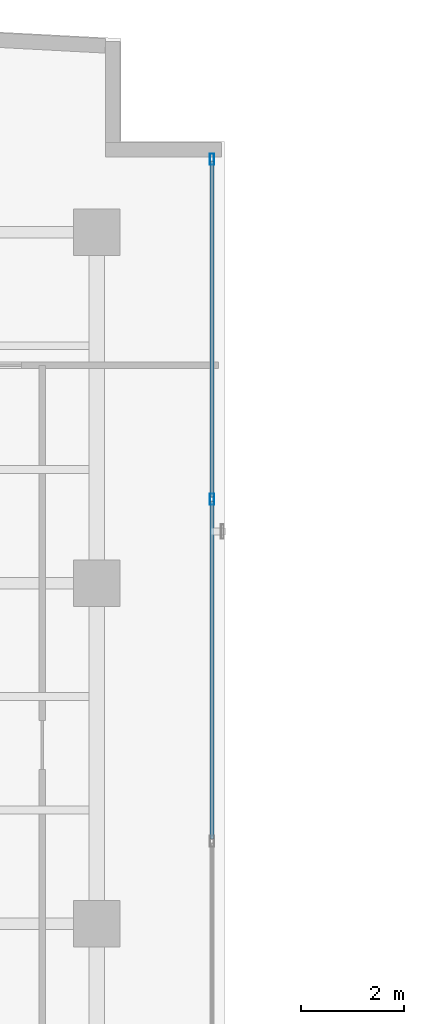
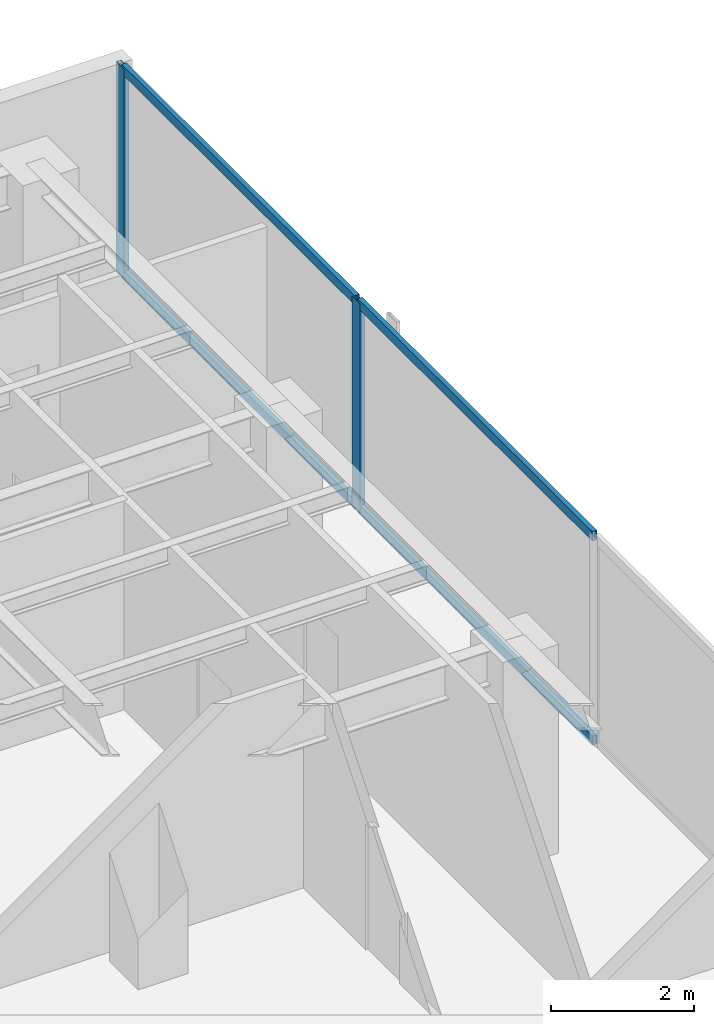
# One storey, part 15 of 22: 6 members, 1 element without a shape of its own.
"""IFC4 building model written with IfcOpenShell, lengths in metres."""

from ifc_helpers import new_model, si_unit, direction, frame, origin, origin_with_axes, origin_2d, place, context, subcontext, project, spatial, hollow_rectangle, extrude, source, transform, mapped, material, layer, layer_set, material_profile, profile_set, type_object, element, aggregate, save


model = new_model("IFC4")

# Units and contexts
model_context = context("Model", 3, precision=1e-05, world=origin(), true_north=direction((0.0, 1.0)))
body_context = subcontext(model_context, "Body", "Model", "MODEL_VIEW")
ifc_project = project(units=[si_unit("LENGTHUNIT", "METRE"), si_unit("AREAUNIT", "SQUARE_METRE"), si_unit("VOLUMEUNIT", "CUBIC_METRE"), si_unit("PLANEANGLEUNIT", "RADIAN"), si_unit("MASSUNIT", "GRAM", prefix="KILO")], contexts=[model_context])

# Site, building, storey
site_placement = place(None, origin())
site = spatial("IfcSite", under=ifc_project, at=site_placement, CompositionType="ELEMENT")
building_placement = place(site_placement, origin())
building = spatial("IfcBuilding", under=site, at=building_placement, Name="Kolvaren Waterfront Exchange", CompositionType="ELEMENT")
storey_placement = place(building_placement, frame((0.0, 0.0, 308.39990234375)))
storey = spatial("IfcBuildingStorey", under=building, at=storey_placement, Name="L79", CompositionType="ELEMENT", Elevation=308.39990234375)

# Curtain wall, members
ifc_material_1 = material(Name="Anodised bronze aluminium 6063-T6", Category="aluminium")
ifc_layer = layer(ifc_material_1, 0.219970703125, Name="Anodised bronze aluminium 6063-T6")
ifc_layer_set = layer_set([ifc_layer], Name="Anodised bronze aluminium 6063-T6")
curtain_wall_type = type_object("IfcCurtainWallType", Name="ARC-CW-SYS1", PredefinedType="USERDEFINED", material=ifc_layer_set)
curtain_wall_placement = place(storey_placement, origin())
curtain_wall = element("IfcCurtainWall", 1, at=curtain_wall_placement, inside=storey, type_object=curtain_wall_type, Name="L79 stick curtain wall CW1 (CW-L79-NE)", ObjectType="STICK CURTAIN WALL", PredefinedType="USERDEFINED")
ifc_material_2 = material(Name="Anodised aluminium 6063-T6", Category="aluminium")
ifc_material_profile_1 = material_profile(ifc_material_2, hollow_rectangle(XDim=0.080078125, YDim=0.219970703125, WallThickness=0.0048828125, at=origin_2d()), Name="ALU-MUL-220x80x5")
ifc_profile_set_1 = profile_set([ifc_material_profile_1], Name="Anodised aluminium 6063-T6")
member_type_1 = type_object("IfcMemberType", Name="ARC-CWM-220", PredefinedType="MULLION", material=ifc_profile_set_1)
shared_shape_1 = source(origin_with_axes(), body_context, "Body", "SweptSolid", [
    extrude(hollow_rectangle(XDim=0.080078125, YDim=0.219970703125, WallThickness=0.0048828125, at=origin_2d()), origin(), (0.0, 0.0, 1.0), 3.56005859375),
])
member_1_placement = place(storey_placement, frame((21.03369140625, 39.426513671875, 0.0), z_axis=(0.0, 0.0, 1.0), x_axis=(-1.0, 0.0, 0.0)))
member_1 = element("IfcMember", 2, at=member_1_placement, type_object=member_type_1, Name="CW1 mullion 3", PredefinedType="MULLION", context=body_context, shape_type="MappedRepresentation", body=[
    mapped(shared_shape_1, transform((0.0, 0.0, 0.0), x_axis=(1.0, 0.0, 0.0), y_axis=(0.0, 1.0, 0.0), z_axis=(0.0, 0.0, 1.0), scale=1.0)),
])
member_2_placement = place(storey_placement, frame((21.03369140625, 46.017822265625, 0.0), z_axis=(0.0, 0.0, 1.0), x_axis=(-1.0, 0.0, 0.0)))
member_2 = element("IfcMember", 3, at=member_2_placement, type_object=member_type_1, Name="CW1 mullion 4", PredefinedType="MULLION", context=body_context, shape_type="MappedRepresentation", body=[
    mapped(shared_shape_1, transform((0.0, 0.0, 0.0), x_axis=(1.0, 0.0, 0.0), y_axis=(0.0, 1.0, 0.0), z_axis=(0.0, 0.0, 1.0), scale=1.0)),
])
ifc_material_profile_2 = material_profile(ifc_material_2, hollow_rectangle(XDim=0.074951171875, YDim=0.159912109375, WallThickness=0.00439453125, at=origin_2d()), Name="ALU-TRN-160x75x4.5")
ifc_profile_set_2 = profile_set([ifc_material_profile_2], Name="Anodised aluminium 6063-T6")
member_type_2 = type_object("IfcMemberType", Name="ARC-CWT-160", PredefinedType="USERDEFINED", material=ifc_profile_set_2)
shared_shape_2 = source(origin_with_axes(), body_context, "Body", "SweptSolid", [
    extrude(hollow_rectangle(XDim=0.074951171875, YDim=0.159912109375, WallThickness=0.00439453125, at=origin_2d()), origin(), (0.0, 0.0, 1.0), 6.55126953125),
])
member_3_placement = place(storey_placement, frame((21.03369140625, 32.835205078125, 0.03759765625), z_axis=(0.0, 1.0, 0.0), x_axis=(-1.0, 0.0, 0.0)))
member_3 = element("IfcMember", 4, at=member_3_placement, type_object=member_type_2, Name="CW1 transom 2.1", ObjectType="TRANSOM", PredefinedType="USERDEFINED", context=body_context, shape_type="MappedRepresentation", body=[
    mapped(shared_shape_2, transform((0.0, 0.0, 0.0), x_axis=(1.0, 0.0, 0.0), y_axis=(0.0, 1.0, 0.0), z_axis=(0.0, 0.0, 1.0), scale=1.0)),
])
member_4_placement = place(storey_placement, frame((21.03369140625, 32.835205078125, 3.522705078125), z_axis=(0.0, 1.0, 0.0), x_axis=(-1.0, 0.0, 0.0)))
member_4 = element("IfcMember", 5, at=member_4_placement, type_object=member_type_2, Name="CW1 transom 2.2", ObjectType="TRANSOM", PredefinedType="USERDEFINED", context=body_context, shape_type="MappedRepresentation", body=[
    mapped(shared_shape_2, transform((0.0, 0.0, 0.0), x_axis=(1.0, 0.0, 0.0), y_axis=(0.0, 1.0, 0.0), z_axis=(0.0, 0.0, 1.0), scale=1.0)),
])
shared_shape_3 = source(origin_with_axes(), body_context, "Body", "SweptSolid", [
    extrude(hollow_rectangle(XDim=0.074951171875, YDim=0.159912109375, WallThickness=0.00439453125, at=origin_2d()), origin(), (0.0, 0.0, 1.0), 6.51123046875),
])
member_5_placement = place(storey_placement, frame((21.03369140625, 39.466552734375, 0.03759765625), z_axis=(0.0, 1.0, 0.0), x_axis=(-1.0, 0.0, 0.0)))
member_5 = element("IfcMember", 6, at=member_5_placement, type_object=member_type_2, Name="CW1 transom 3.1", ObjectType="TRANSOM", PredefinedType="USERDEFINED", context=body_context, shape_type="MappedRepresentation", body=[
    mapped(shared_shape_3, transform((0.0, 0.0, 0.0), x_axis=(1.0, 0.0, 0.0), y_axis=(0.0, 1.0, 0.0), z_axis=(0.0, 0.0, 1.0), scale=1.0)),
])
member_6_placement = place(storey_placement, frame((21.03369140625, 39.466552734375, 3.522705078125), z_axis=(0.0, 1.0, 0.0), x_axis=(-1.0, 0.0, 0.0)))
member_6 = element("IfcMember", 7, at=member_6_placement, type_object=member_type_2, Name="CW1 transom 3.2", ObjectType="TRANSOM", PredefinedType="USERDEFINED", context=body_context, shape_type="MappedRepresentation", body=[
    mapped(shared_shape_3, transform((0.0, 0.0, 0.0), x_axis=(1.0, 0.0, 0.0), y_axis=(0.0, 1.0, 0.0), z_axis=(0.0, 0.0, 1.0), scale=1.0)),
])
aggregate(curtain_wall, [member_1, member_2, member_3, member_4, member_5, member_6])

save(model, "model.ifc")
